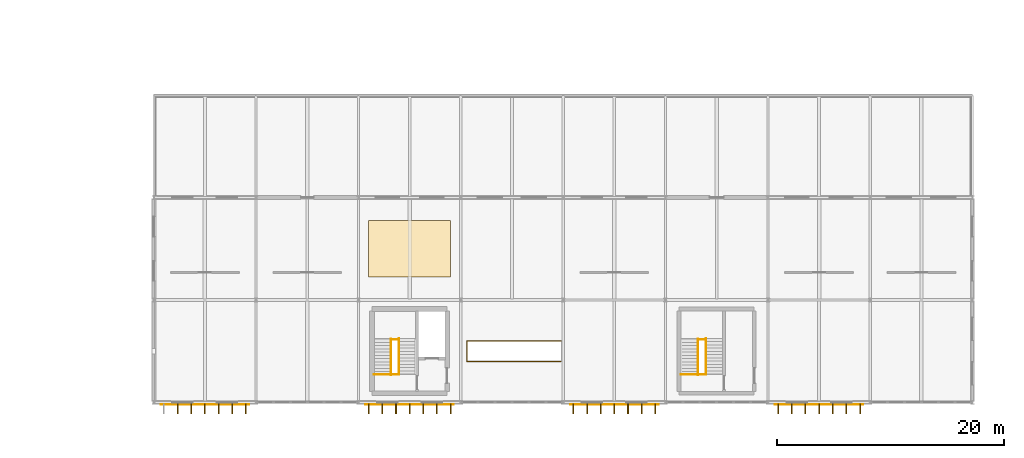
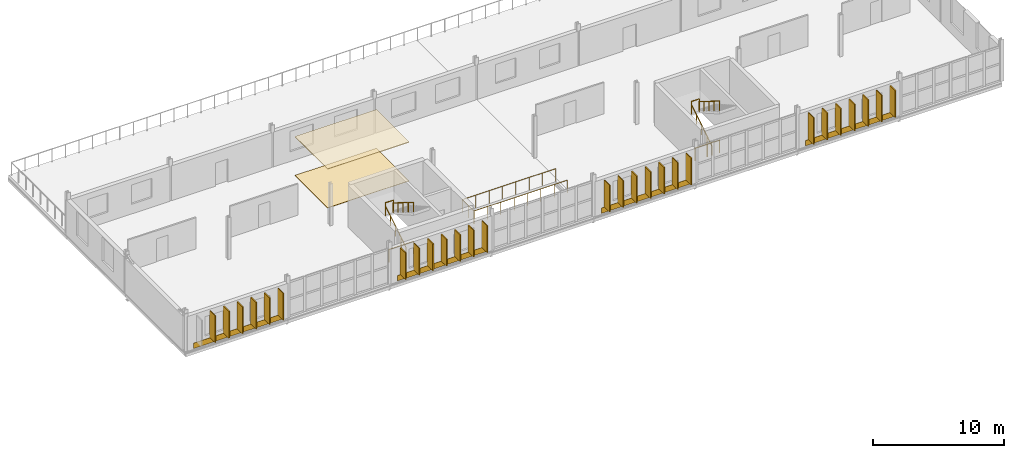
# One storey, part 119 of 123: 27 shading devices, 9 railings, 6 coverings.
"""IFC4 building model written with IfcOpenShell, lengths in metres."""

from ifc_helpers import new_model, si_unit, direction, frame, origin, origin_2d, place, context, subcontext, project, spatial, rectangle, circle, extrude, material, layer, layer_set, type_object, element, save


model = new_model("IFC4")

# Units and contexts
model_context = context("Model", 3, precision=1e-05, world=origin(), true_north=direction((0.0, 1.0)))
body_context = subcontext(model_context, "Body", "Model", "MODEL_VIEW")
ifc_project = project(units=[si_unit("LENGTHUNIT", "METRE"), si_unit("AREAUNIT", "SQUARE_METRE"), si_unit("VOLUMEUNIT", "CUBIC_METRE"), si_unit("PLANEANGLEUNIT", "RADIAN"), si_unit("MASSUNIT", "GRAM", prefix="KILO")], contexts=[model_context])

# Site, building, storey
site_placement = place(None, origin())
site = spatial("IfcSite", under=ifc_project, at=site_placement, CompositionType="ELEMENT")
building_placement = place(site_placement, origin())
building = spatial("IfcBuilding", under=site, at=building_placement, Name="Kildeholm Park Wholesale Market", CompositionType="ELEMENT")
storey_placement = place(building_placement, frame((0.0, 0.0, 9.60009765625)))
storey = spatial("IfcBuildingStorey", under=building, at=storey_placement, Name="L02", CompositionType="ELEMENT", Elevation=9.60009765625)

# Shading devices
ifc_material_1 = material(Name="Glazed ceramic and anodised aluminium brise-soleil", Category="aluminium")
ifc_layer_1 = layer(ifc_material_1, 0.090087890625)
ifc_layer_set_1 = layer_set([ifc_layer_1], Name="Glazed ceramic and anodised aluminium brise-soleil")
shading_device_type = type_object("IfcShadingDeviceType", Name="Brise-soleil solar fin SH-FIN2 850x90", PredefinedType="USERDEFINED", material=ifc_layer_set_1)
for number, where, z_axis, x_axis, name in (
    (1, (128.10009765625, -0.56494140625, 0.599853515625), (0.0, 0.0, 1.0), (0.0, -1.0, 0.0), "Brise-soleil fin V5E-L02-S01-01.2 SHD-0162"),
    (2, (129.300048828125, -0.56494140625, 0.599853515625), (0.0, 0.0, 1.0), (0.0, -1.0, 0.0), "Brise-soleil fin V5E-L02-S01-01.3 SHD-0163"),
    (3, (130.5, -0.56494140625, 0.599853515625), (0.0, 0.0, 1.0), (0.0, -1.0, 0.0), "Brise-soleil fin V5E-L02-S01-01.4 SHD-0164"),
    (4, (131.699951171875, -0.56494140625, 0.599853515625), (0.0, 0.0, 1.0), (0.0, -1.0, 0.0), "Brise-soleil fin V5E-L02-S01-01.5 SHD-0165"),
    (5, (132.89990234375, -0.56494140625, 0.599853515625), (0.0, 0.0, 1.0), (0.0, -1.0, 0.0), "Brise-soleil fin V5E-L02-S01-01.6 SHD-0166"),
    (6, (134.10009765625, -0.56494140625, 0.599853515625), (0.0, 0.0, 1.0), (0.0, -1.0, 0.0), "Brise-soleil fin V5E-L02-S01-01.7 SHD-0167"),
    (7, (144.89990234375, -0.56494140625, 0.599853515625), (0.0, 0.0, 1.0), (0.0, -1.0, 0.0), "Brise-soleil fin V5E-L02-S03-01.1 SHD-0168"),
    (8, (146.10009765625, -0.56494140625, 0.599853515625), (0.0, 0.0, 1.0), (0.0, -1.0, 0.0), "Brise-soleil fin V5E-L02-S03-01.2 SHD-0169"),
    (9, (147.300048828125, -0.56494140625, 0.599853515625), (0.0, 0.0, 1.0), (0.0, -1.0, 0.0), "Brise-soleil fin V5E-L02-S03-01.3 SHD-0170"),
    (10, (148.5, -0.56494140625, 0.599853515625), (0.0, 0.0, 1.0), (0.0, -1.0, 0.0), "Brise-soleil fin V5E-L02-S03-01.4 SHD-0171"),
    (11, (149.699951171875, -0.56494140625, 0.599853515625), (0.0, 0.0, 1.0), (0.0, -1.0, 0.0), "Brise-soleil fin V5E-L02-S03-01.5 SHD-0172"),
    (12, (150.89990234375, -0.56494140625, 0.599853515625), (0.0, 0.0, 1.0), (0.0, -1.0, 0.0), "Brise-soleil fin V5E-L02-S03-01.6 SHD-0173"),
    (13, (152.10009765625, -0.56494140625, 0.599853515625), (0.0, 0.0, 1.0), (0.0, -1.0, 0.0), "Brise-soleil fin V5E-L02-S03-01.7 SHD-0174"),
    (14, (162.89990234375, -0.56494140625, 0.599853515625), (0.0, 0.0, 1.0), (0.0, -1.0, 0.0), "Brise-soleil fin V5E-L02-S05-01.1 SHD-0175"),
    (15, (164.10009765625, -0.56494140625, 0.599853515625), (0.0, 0.0, 1.0), (0.0, -1.0, 0.0), "Brise-soleil fin V5E-L02-S05-01.2 SHD-0176"),
    (16, (165.300048828125, -0.56494140625, 0.599853515625), (0.0, 0.0, 1.0), (0.0, -1.0, 0.0), "Brise-soleil fin V5E-L02-S05-01.3 SHD-0177"),
    (17, (166.5, -0.56494140625, 0.599853515625), (0.0, 0.0, 1.0), (0.0, -1.0, 0.0), "Brise-soleil fin V5E-L02-S05-01.4 SHD-0178"),
    (18, (167.699951171875, -0.56494140625, 0.599853515625), (0.0, 0.0, 1.0), (0.0, -1.0, 0.0), "Brise-soleil fin V5E-L02-S05-01.5 SHD-0179"),
    (19, (168.89990234375, -0.56494140625, 0.599853515625), (0.0, 0.0, 1.0), (0.0, -1.0, 0.0), "Brise-soleil fin V5E-L02-S05-01.6 SHD-0180"),
    (20, (170.10009765625, -0.56494140625, 0.599853515625), (0.0, 0.0, 1.0), (0.0, -1.0, 0.0), "Brise-soleil fin V5E-L02-S05-01.7 SHD-0181"),
    (21, (180.89990234375, -0.56494140625, 0.599853515625), (0.0, 0.0, 1.0), (0.0, -1.0, 0.0), "Brise-soleil fin V5E-L02-S07-01.1 SHD-0182"),
    (22, (182.10009765625, -0.56494140625, 0.599853515625), (0.0, 0.0, 1.0), (0.0, -1.0, 0.0), "Brise-soleil fin V5E-L02-S07-01.2 SHD-0183"),
    (23, (183.300048828125, -0.56494140625, 0.599853515625), (0.0, 0.0, 1.0), (0.0, -1.0, 0.0), "Brise-soleil fin V5E-L02-S07-01.3 SHD-0184"),
    (24, (184.5, -0.56494140625, 0.599853515625), (0.0, 0.0, 1.0), (0.0, -1.0, 0.0), "Brise-soleil fin V5E-L02-S07-01.4 SHD-0185"),
    (25, (185.699951171875, -0.56494140625, 0.599853515625), (0.0, 0.0, 1.0), (0.0, -1.0, 0.0), "Brise-soleil fin V5E-L02-S07-01.5 SHD-0186"),
    (26, (186.89990234375, -0.56494140625, 0.599853515625), (0.0, 0.0, 1.0), (0.0, -1.0, 0.0), "Brise-soleil fin V5E-L02-S07-01.6 SHD-0187"),
    (27, (188.10009765625, -0.56494140625, 0.599853515625), (0.0, 0.0, 1.0), (0.0, -1.0, 0.0), "Brise-soleil fin V5E-L02-S07-01.7 SHD-0188"),
):
    element("IfcShadingDevice", number, at=place(storey_placement, frame(where, z_axis=z_axis, x_axis=x_axis)), inside=storey, type_object=shading_device_type, Name=name, ObjectType="SOLAR FIN", PredefinedType="USERDEFINED", context=body_context, shape_type="SweptSolid", body=[
        extrude(rectangle(XDim=0.85009765625, YDim=0.090087890625, at=origin_2d()), origin(), (0.0, 0.0, 1.0), 2.5),
    ])

# Covering
ifc_material_2 = material(Name="Polished terrazzo flooring")
ifc_layer_2 = layer(ifc_material_2, 0.030029296875)
ifc_layer_set_2 = layer_set([ifc_layer_2], Name="Polished terrazzo flooring")
covering_type_1 = type_object("IfcCoveringType", Name="Heavy-duty terrazzo market flooring CV-FLR1 30 mm", PredefinedType="FLOORING", material=ifc_layer_set_2)
covering_1_placement = place(storey_placement, frame((148.5, 13.5, 0.0), z_axis=(0.0, 0.0, 1.0), x_axis=(1.0, 0.0, 0.0)))
element("IfcCovering", 28, at=covering_1_placement, inside=storey, type_object=covering_type_1, Name="Market floor finish 10 COV-0059", PredefinedType="FLOORING", context=body_context, shape_type="SweptSolid", body=[
    extrude(rectangle(XDim=7.199951171875, YDim=5.0, at=origin_2d()), origin(), (0.0, 0.0, 1.0), 0.030029296875),
])

# Railings
ifc_material_3 = material(Name="Painted steel and laminated glass balustrade", Category="steel")
railing_type_1 = type_object("IfcRailingType", Name="Interior gallery and stairwell guard GR-IN1 1200 mm", PredefinedType="GUARDRAIL", material=ifc_material_3)
railing_1_placement = place(storey_placement, frame((145.360107421875, 2.429931640625, 0.0)))
element("IfcRailing", 29, at=railing_1_placement, inside=storey, type_object=railing_type_1, Name="Stair C06 upper floor well guard L02 RLG-0079", PredefinedType="GUARDRAIL", context=body_context, shape_type="SweptSolid", body=[
    extrude(circle(Radius=0.02392578125, at=origin_2d()), frame((0.0, 0.0, 1.17578125), z_axis=(1.0, 0.0, 0.0), x_axis=(0.0, 1.0, 0.0)), (0.0, 0.0, 1.0), 2.18994140625),
    extrude(circle(Radius=0.02099609375, at=origin_2d()), origin(), (0.0, 0.0, 1.0), 1.15185546875),
    extrude(circle(Radius=0.02099609375, at=origin_2d()), frame((1.094970703125, 0.0, 0.0)), (0.0, 0.0, 1.0), 1.15185546875),
    extrude(circle(Radius=0.02099609375, at=origin_2d()), frame((2.18994140625, 0.0, 0.0)), (0.0, 0.0, 1.0), 1.15185546875),
])
railing_2_placement = place(storey_placement, frame((146.860107421875, 5.544921875, 1.949951171875)))
element("IfcRailing", 30, at=railing_2_placement, inside=storey, type_object=railing_type_1, Name="Stair C06 half-landing well guard L02 RLG-0082", PredefinedType="GUARDRAIL", context=body_context, shape_type="SweptSolid", body=[
    extrude(circle(Radius=0.02392578125, at=origin_2d()), frame((0.0, 0.0, 1.17578125), z_axis=(1.0, 0.0, 0.0), x_axis=(0.0, 1.0, 0.0)), (0.0, 0.0, 1.0), 0.68994140625),
    extrude(circle(Radius=0.02099609375, at=origin_2d()), origin(), (0.0, 0.0, 1.0), 1.15185546875),
    extrude(circle(Radius=0.02099609375, at=origin_2d()), frame((0.68994140625, 0.0, 0.0)), (0.0, 0.0, 1.0), 1.15185546875),
])
railing_3_placement = place(storey_placement, frame((172.360107421875, 2.429931640625, 0.0)))
element("IfcRailing", 31, at=railing_3_placement, inside=storey, type_object=railing_type_1, Name="Stair C07 upper floor well guard L02 RLG-0091", PredefinedType="GUARDRAIL", context=body_context, shape_type="SweptSolid", body=[
    extrude(circle(Radius=0.02392578125, at=origin_2d()), frame((0.0, 0.0, 1.17578125), z_axis=(1.0, 0.0, 0.0), x_axis=(0.0, 1.0, 0.0)), (0.0, 0.0, 1.0), 2.18994140625),
    extrude(circle(Radius=0.02099609375, at=origin_2d()), origin(), (0.0, 0.0, 1.0), 1.15185546875),
    extrude(circle(Radius=0.02099609375, at=origin_2d()), frame((1.094970703125, 0.0, 0.0)), (0.0, 0.0, 1.0), 1.15185546875),
    extrude(circle(Radius=0.02099609375, at=origin_2d()), frame((2.18994140625, 0.0, 0.0)), (0.0, 0.0, 1.0), 1.15185546875),
])
railing_4_placement = place(storey_placement, frame((173.860107421875, 5.544921875, 1.949951171875)))
element("IfcRailing", 32, at=railing_4_placement, inside=storey, type_object=railing_type_1, Name="Stair C07 half-landing well guard L02 RLG-0094", PredefinedType="GUARDRAIL", context=body_context, shape_type="SweptSolid", body=[
    extrude(circle(Radius=0.02392578125, at=origin_2d()), frame((0.0, 0.0, 1.17578125), z_axis=(1.0, 0.0, 0.0), x_axis=(0.0, 1.0, 0.0)), (0.0, 0.0, 1.0), 0.68994140625),
    extrude(circle(Radius=0.02099609375, at=origin_2d()), origin(), (0.0, 0.0, 1.0), 1.15185546875),
    extrude(circle(Radius=0.02099609375, at=origin_2d()), frame((0.68994140625, 0.0, 0.0)), (0.0, 0.0, 1.0), 1.15185546875),
])
railing_5_placement = place(storey_placement, frame((161.800048828125, 3.610107421875, 0.0)))
element("IfcRailing", 33, at=railing_5_placement, inside=storey, type_object=railing_type_1, Name="Feature stair well guard ST-FT05 RLG-0178", PredefinedType="GUARDRAIL", context=body_context, shape_type="SweptSolid", body=[
    extrude(circle(Radius=0.02392578125, at=origin_2d()), frame((0.0, 0.0, 1.17578125), z_axis=(-1.0, 0.0, 0.0), x_axis=(0.0, -1.0, 0.0)), (0.0, 0.0, 1.0), 8.25),
    extrude(circle(Radius=0.02392578125, at=origin_2d()), frame((-8.25, 0.0, 1.17578125), z_axis=(0.0, 1.0, 0.0), x_axis=(-1.0, 0.0, 0.0)), (0.0, 0.0, 1.0), 1.77978515625),
    extrude(circle(Radius=0.02392578125, at=origin_2d()), frame((-8.25, 1.77978515625, 1.17578125), z_axis=(1.0, 0.0, 0.0), x_axis=(0.0, 1.0, 0.0)), (0.0, 0.0, 1.0), 8.25),
    extrude(circle(Radius=0.02099609375, at=origin_2d()), origin(), (0.0, 0.0, 1.0), 1.15185546875),
    extrude(circle(Radius=0.02099609375, at=origin_2d()), frame((-1.178466796875, 0.0, 0.0)), (0.0, 0.0, 1.0), 1.15185546875),
    extrude(circle(Radius=0.02099609375, at=origin_2d()), frame((-2.357177734375, 0.0, 0.0)), (0.0, 0.0, 1.0), 1.15185546875),
    extrude(circle(Radius=0.02099609375, at=origin_2d()), frame((-3.53564453125, 0.0, 0.0)), (0.0, 0.0, 1.0), 1.15185546875),
    extrude(circle(Radius=0.02099609375, at=origin_2d()), frame((-4.71435546875, 0.0, 0.0)), (0.0, 0.0, 1.0), 1.15185546875),
    extrude(circle(Radius=0.02099609375, at=origin_2d()), frame((-5.892822265625, 0.0, 0.0)), (0.0, 0.0, 1.0), 1.15185546875),
    extrude(circle(Radius=0.02099609375, at=origin_2d()), frame((-7.071533203125, 0.0, 0.0)), (0.0, 0.0, 1.0), 1.15185546875),
    extrude(circle(Radius=0.02099609375, at=origin_2d()), frame((-8.25, 0.0, 0.0)), (0.0, 0.0, 1.0), 1.15185546875),
    extrude(circle(Radius=0.02099609375, at=origin_2d()), frame((-8.25, 0.889892578125, 0.0)), (0.0, 0.0, 1.0), 1.15185546875),
    extrude(circle(Radius=0.02099609375, at=origin_2d()), frame((-8.25, 1.77978515625, 0.0)), (0.0, 0.0, 1.0), 1.15185546875),
    extrude(circle(Radius=0.02099609375, at=origin_2d()), frame((-7.071533203125, 1.77978515625, 0.0)), (0.0, 0.0, 1.0), 1.15185546875),
    extrude(circle(Radius=0.02099609375, at=origin_2d()), frame((-5.892822265625, 1.77978515625, 0.0)), (0.0, 0.0, 1.0), 1.15185546875),
    extrude(circle(Radius=0.02099609375, at=origin_2d()), frame((-4.71435546875, 1.77978515625, 0.0)), (0.0, 0.0, 1.0), 1.15185546875),
    extrude(circle(Radius=0.02099609375, at=origin_2d()), frame((-3.53564453125, 1.77978515625, 0.0)), (0.0, 0.0, 1.0), 1.15185546875),
    extrude(circle(Radius=0.02099609375, at=origin_2d()), frame((-2.357177734375, 1.77978515625, 0.0)), (0.0, 0.0, 1.0), 1.15185546875),
    extrude(circle(Radius=0.02099609375, at=origin_2d()), frame((-1.178466796875, 1.77978515625, 0.0)), (0.0, 0.0, 1.0), 1.15185546875),
    extrude(circle(Radius=0.02099609375, at=origin_2d()), frame((0.0, 1.77978515625, 0.0)), (0.0, 0.0, 1.0), 1.15185546875),
])

# Coverings
ifc_material_4 = material(Name="Fire-retardant acoustic baffle ceiling")
ifc_layer_3 = layer(ifc_material_4, 0.054931640625)
ifc_layer_set_3 = layer_set([ifc_layer_3], Name="Fire-retardant acoustic baffle ceiling")
covering_type_2 = type_object("IfcCoveringType", Name="Perforated acoustic timber-slat ceiling CV-CLG2 55 mm", PredefinedType="CEILING", material=ifc_layer_set_3)
covering_2_placement = place(storey_placement, frame((148.5, 13.5, 3.60498046875), z_axis=(0.0, 0.0, 1.0), x_axis=(1.0, 0.0, 0.0)))
element("IfcCovering", 34, at=covering_2_placement, inside=storey, type_object=covering_type_2, Name="Acoustic ceiling 10 COV-0060", PredefinedType="CEILING", context=body_context, shape_type="SweptSolid", body=[
    extrude(rectangle(XDim=7.199951171875, YDim=5.0, at=origin_2d()), origin(), (0.0, 0.0, 1.0), 0.054931640625),
])
ifc_material_5 = material(Name="Polychrome broken-tile glazed ceramic mosaic")
ifc_layer_4 = layer(ifc_material_5, 0.034912109375)
ifc_layer_set_4 = layer_set([ifc_layer_4], Name="Polychrome broken-tile glazed ceramic mosaic")
covering_type_3 = type_object("IfcCoveringType", Name="Polychrome ceramic mosaic spandrel cladding CV-CL1", PredefinedType="CLADDING", material=ifc_layer_set_4)
for number, where, z_axis, x_axis, name in (
    (35, (130.5, -0.179931640625, 0.099853515625), (0.0, 0.0, 1.0), (1.0, 0.0, 0.0), "Polychrome ceramic mosaic spandrel V5E-L02-1 COV-0037"),
    (36, (148.5, -0.179931640625, 0.099853515625), (0.0, 0.0, 1.0), (1.0, 0.0, 0.0), "Polychrome ceramic mosaic spandrel V5E-L02-3 COV-0038"),
    (37, (166.5, -0.179931640625, 0.099853515625), (0.0, 0.0, 1.0), (1.0, 0.0, 0.0), "Polychrome ceramic mosaic spandrel V5E-L02-5 COV-0039"),
    (38, (184.5, -0.179931640625, 0.099853515625), (0.0, 0.0, 1.0), (1.0, 0.0, 0.0), "Polychrome ceramic mosaic spandrel V5E-L02-7 COV-0040"),
):
    element("IfcCovering", number, at=place(storey_placement, frame(where, z_axis=z_axis, x_axis=x_axis)), inside=storey, type_object=covering_type_3, Name=name, PredefinedType="CLADDING", context=body_context, shape_type="SweptSolid", body=[
        extrude(rectangle(XDim=7.800048828125, YDim=0.034912109375, at=origin_2d()), origin(), (0.0, 0.0, 1.0), 0.5),
    ])

# Railings
ifc_material_6 = material(Name="Stainless steel AISI 316 handrail", Category="steel")
railing_type_2 = type_object("IfcRailingType", Name="Stair flight handrail HR-IN1 900 mm", PredefinedType="HANDRAIL", material=ifc_material_6)
railing_6_placement = place(storey_placement, frame((146.860107421875, 2.419921875, 0.0)))
element("IfcRailing", 39, at=railing_6_placement, inside=storey, type_object=railing_type_2, Name="Stair C06 flight 1 handrail L02 RLG-0084", PredefinedType="HANDRAIL", context=body_context, shape_type="SweptSolid", body=[
    extrude(circle(Radius=0.02392578125, at=origin_2d()), frame((0.0, 0.0, 0.8759765625), z_axis=(0.0, 0.849144259976, 0.528160984692), x_axis=(-1.0, 0.0, 0.0)), (0.0, 0.0, 1.0), 3.69189453125),
    extrude(circle(Radius=0.02099609375, at=origin_2d()), origin(), (0.0, 0.0, 1.0), 0.851806640625),
    extrude(circle(Radius=0.02099609375, at=origin_2d()), frame((0.0, 0.78369140625, 0.487548828125)), (0.0, 0.0, 1.0), 0.851806640625),
    extrude(circle(Radius=0.02099609375, at=origin_2d()), frame((0.0, 1.5673828125, 0.97509765625)), (0.0, 0.0, 1.0), 0.851806640625),
    extrude(circle(Radius=0.02099609375, at=origin_2d()), frame((0.0, 2.351318359375, 1.46240234375)), (0.0, 0.0, 1.0), 0.851806640625),
    extrude(circle(Radius=0.02099609375, at=origin_2d()), frame((0.0, 3.135009765625, 1.949951171875)), (0.0, 0.0, 1.0), 0.851806640625),
])
railing_7_placement = place(storey_placement, frame((147.550048828125, 5.614990234375, 1.949951171875)))
element("IfcRailing", 40, at=railing_7_placement, inside=storey, type_object=railing_type_2, Name="Stair C06 flight 2 handrail L02 RLG-0085", PredefinedType="HANDRAIL", context=body_context, shape_type="SweptSolid", body=[
    extrude(circle(Radius=0.02392578125, at=origin_2d()), frame((0.0, 0.0, 0.8759765625), z_axis=(0.0, -0.849144259976, 0.528160984692), x_axis=(1.0, 0.0, 0.0)), (0.0, 0.0, 1.0), 3.69189453125),
    extrude(circle(Radius=0.02099609375, at=origin_2d()), origin(), (0.0, 0.0, 1.0), 0.851806640625),
    extrude(circle(Radius=0.02099609375, at=origin_2d()), frame((0.0, -0.78369140625, 0.487548828125)), (0.0, 0.0, 1.0), 0.851806640625),
    extrude(circle(Radius=0.02099609375, at=origin_2d()), frame((0.0, -1.5673828125, 0.97509765625)), (0.0, 0.0, 1.0), 0.851806640625),
    extrude(circle(Radius=0.02099609375, at=origin_2d()), frame((0.0, -2.351318359375, 1.46240234375)), (0.0, 0.0, 1.0), 0.851806640625),
    extrude(circle(Radius=0.02099609375, at=origin_2d()), frame((0.0, -3.135009765625, 1.949951171875)), (0.0, 0.0, 1.0), 0.851806640625),
])
railing_8_placement = place(storey_placement, frame((173.860107421875, 2.419921875, 0.0)))
element("IfcRailing", 41, at=railing_8_placement, inside=storey, type_object=railing_type_2, Name="Stair C07 flight 1 handrail L02 RLG-0096", PredefinedType="HANDRAIL", context=body_context, shape_type="SweptSolid", body=[
    extrude(circle(Radius=0.02392578125, at=origin_2d()), frame((0.0, 0.0, 0.8759765625), z_axis=(0.0, 0.849144259976, 0.528160984692), x_axis=(-1.0, 0.0, 0.0)), (0.0, 0.0, 1.0), 3.69189453125),
    extrude(circle(Radius=0.02099609375, at=origin_2d()), origin(), (0.0, 0.0, 1.0), 0.851806640625),
    extrude(circle(Radius=0.02099609375, at=origin_2d()), frame((0.0, 0.78369140625, 0.487548828125)), (0.0, 0.0, 1.0), 0.851806640625),
    extrude(circle(Radius=0.02099609375, at=origin_2d()), frame((0.0, 1.5673828125, 0.97509765625)), (0.0, 0.0, 1.0), 0.851806640625),
    extrude(circle(Radius=0.02099609375, at=origin_2d()), frame((0.0, 2.351318359375, 1.46240234375)), (0.0, 0.0, 1.0), 0.851806640625),
    extrude(circle(Radius=0.02099609375, at=origin_2d()), frame((0.0, 3.135009765625, 1.949951171875)), (0.0, 0.0, 1.0), 0.851806640625),
])
railing_9_placement = place(storey_placement, frame((174.550048828125, 5.614990234375, 1.949951171875)))
element("IfcRailing", 42, at=railing_9_placement, inside=storey, type_object=railing_type_2, Name="Stair C07 flight 2 handrail L02 RLG-0097", PredefinedType="HANDRAIL", context=body_context, shape_type="SweptSolid", body=[
    extrude(circle(Radius=0.02392578125, at=origin_2d()), frame((0.0, 0.0, 0.8759765625), z_axis=(0.0, -0.849144259976, 0.528160984692), x_axis=(1.0, 0.0, 0.0)), (0.0, 0.0, 1.0), 3.69189453125),
    extrude(circle(Radius=0.02099609375, at=origin_2d()), origin(), (0.0, 0.0, 1.0), 0.851806640625),
    extrude(circle(Radius=0.02099609375, at=origin_2d()), frame((0.0, -0.78369140625, 0.487548828125)), (0.0, 0.0, 1.0), 0.851806640625),
    extrude(circle(Radius=0.02099609375, at=origin_2d()), frame((0.0, -1.5673828125, 0.97509765625)), (0.0, 0.0, 1.0), 0.851806640625),
    extrude(circle(Radius=0.02099609375, at=origin_2d()), frame((0.0, -2.351318359375, 1.46240234375)), (0.0, 0.0, 1.0), 0.851806640625),
    extrude(circle(Radius=0.02099609375, at=origin_2d()), frame((0.0, -3.135009765625, 1.949951171875)), (0.0, 0.0, 1.0), 0.851806640625),
])

save(model, "model.ifc")
